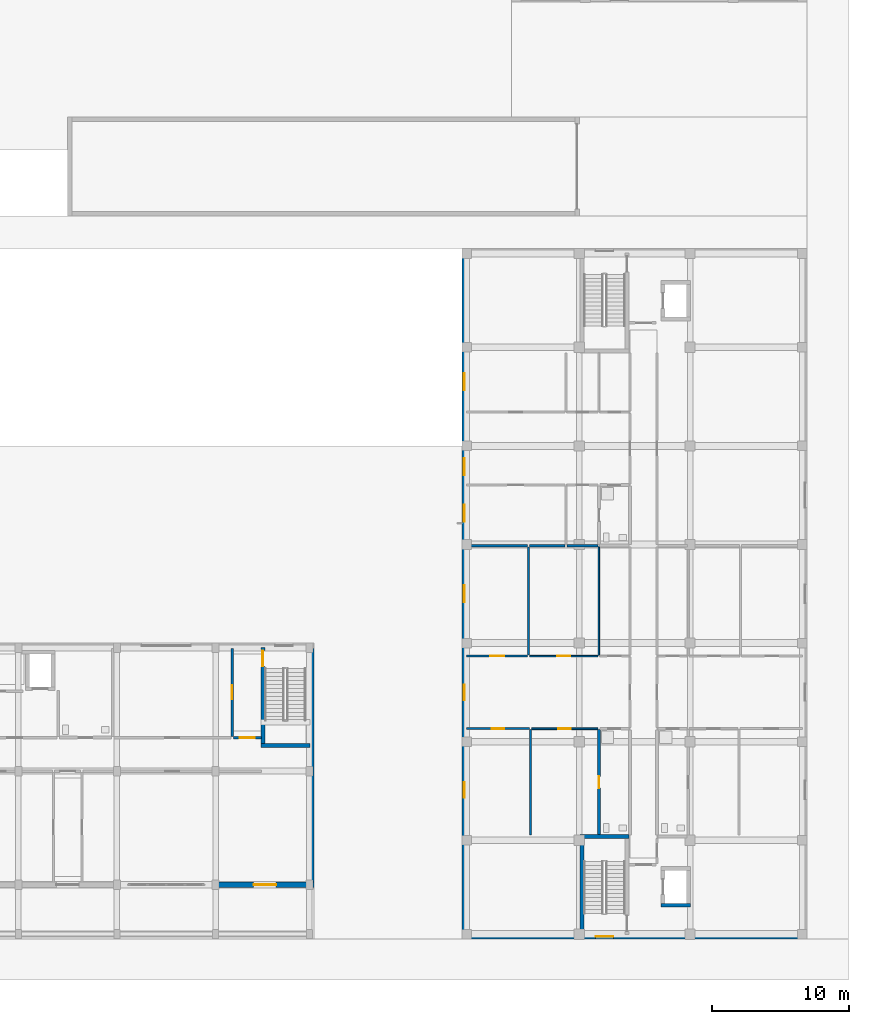
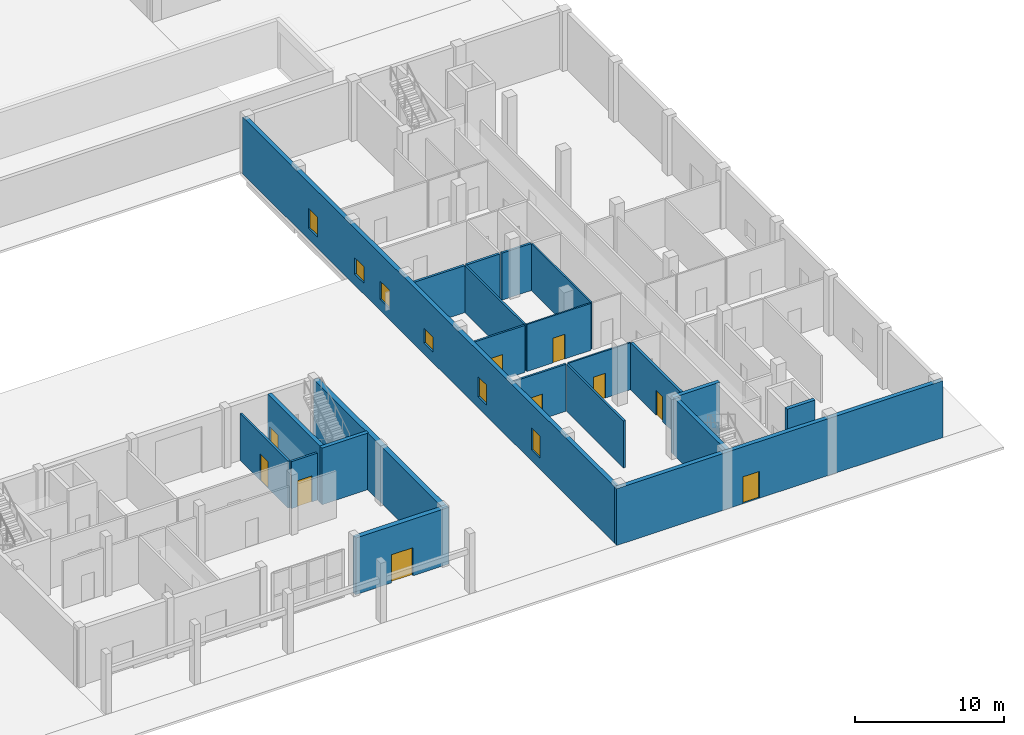
# One storey, part 48 of 85: 22 walls, 10 doors, 6 windows, 16 openings.
"""IFC4 building model written with IfcOpenShell, lengths in metres."""

import ifcopenshell
import ifcopenshell.guid

model = None  # the IFC model being written
_history = None  # IfcOwnerHistory: only IFC2X3 demands one
_inside = {}  # id of a spatial element -> (the spatial element, [elements in it])
_under = {}  # id of a project, library or spatial element -> (it, [spatial elements below it])
_declared = {}  # id of a project -> (the project, [libraries it declares])
_typed = {}  # id of a type object -> (the type object, [elements of that type])
_made_of = {}  # id of a material, layer set ... -> (it, [elements and type objects made of it])


def new_model(schema):
    """Start an empty IFC model of exactly this schema.

    Asked for "IFC4X3", IfcOpenShell would pick the latest addendum, in which some entities
    have other attributes; the version numbers below select the first issue.
    IFC2X3 requires an IfcOwnerHistory on every rooted entity: one is made here for all.
    """
    global model, _history
    if schema == "IFC4X3":
        model = ifcopenshell.file(schema_version=(4, 3, 0, 0))
    else:
        model = ifcopenshell.file(schema=schema)
    _inside.clear()
    _under.clear()
    _declared.clear()
    _typed.clear()
    _made_of.clear()
    _history = None
    if model.schema == "IFC2X3":
        org = make("IfcOrganization", Name="unknown")
        user = make(
            "IfcPersonAndOrganization",
            ThePerson=make("IfcPerson", FamilyName="unknown"),
            TheOrganization=org,
        )
        app = make(
            "IfcApplication",
            ApplicationDeveloper=org,
            Version="unknown",
            ApplicationFullName="unknown",
            ApplicationIdentifier="unknown",
        )
        _history = make(
            "IfcOwnerHistory",
            OwningUser=user,
            OwningApplication=app,
            ChangeAction="ADDED",
            CreationDate=0,
        )
    return model


def make(cls, **values):
    """One entity of the class cls with the attributes given. An attribute that is None is left unset."""
    return model.create_entity(
        cls, **{name: value for name, value in values.items() if value is not None}
    )


def rooted(cls, **values):
    """An entity with a GlobalId (a new one), such as an element, a storey or a relation."""
    return make(cls, GlobalId=ifcopenshell.guid.new(), OwnerHistory=_history, **values)


def si_unit(unit_type, name, prefix=None):
    """IfcSIUnit, for example si_unit("LENGTHUNIT", "METRE", prefix="MILLI")."""
    return make("IfcSIUnit", UnitType=unit_type, Prefix=prefix, Name=name)


def derived_unit(unit_type, elements):
    """IfcDerivedUnit: a product of units, each with its exponent."""
    return make(
        "IfcDerivedUnit",
        Elements=[
            make("IfcDerivedUnitElement", Unit=unit, Exponent=power)
            for unit, power in elements
        ],
        UnitType=unit_type,
    )


def assignment(units):
    """IfcUnitAssignment: the units of a project."""
    return None if units is None else make("IfcUnitAssignment", Units=units)


def point(xyz):
    """IfcCartesianPoint."""
    return None if xyz is None else make("IfcCartesianPoint", Coordinates=xyz)


def direction(xyz):
    """IfcDirection."""
    return None if xyz is None else make("IfcDirection", DirectionRatios=xyz)


def frame(location, z_axis=None, x_axis=None):
    """IfcAxis2Placement3D, a coordinate frame: its origin and axes. An axis left out is left unset."""
    return make(
        "IfcAxis2Placement3D",
        Location=point(location),
        Axis=direction(z_axis),
        RefDirection=direction(x_axis),
    )


def frame_2d(location, x_axis=None):
    """IfcAxis2Placement2D, a coordinate frame in the plane: its origin and x axis."""
    return make(
        "IfcAxis2Placement2D", Location=point(location), RefDirection=direction(x_axis)
    )


def origin():
    """The frame at (0, 0, 0) with its axes left unset."""
    return frame((0.0, 0.0, 0.0))


def place(relative_to, where):
    """IfcLocalPlacement: puts the frame where relative to a parent placement (None: the world)."""
    return make(
        "IfcLocalPlacement", PlacementRelTo=relative_to, RelativePlacement=where
    )


def context(
    kind, dimensions, precision=None, world=None, true_north=None, identifier=None
):
    """IfcGeometricRepresentationContext, for example the 3D "Model" context."""
    return make(
        "IfcGeometricRepresentationContext",
        ContextIdentifier=identifier,
        ContextType=kind,
        CoordinateSpaceDimension=dimensions,
        Precision=precision,
        WorldCoordinateSystem=world,
        TrueNorth=true_north,
    )


def subcontext(parent, identifier, kind, view, scale=None):
    """IfcGeometricRepresentationSubContext, for example "Body" below "Model"."""
    return make(
        "IfcGeometricRepresentationSubContext",
        ContextIdentifier=identifier,
        ContextType=kind,
        ParentContext=parent,
        TargetScale=scale,
        TargetView=view,
    )


def project(units=None, contexts=None):
    """IfcProject with its units and contexts."""
    return rooted(
        "IfcProject",
        Name="project",
        RepresentationContexts=contexts,
        UnitsInContext=assignment(units),
    )


def spatial(cls, under=None, at=None, **own):
    """A site, building, storey or space (cls), placed at a placement, below another one or the project."""
    s = rooted(cls, ObjectPlacement=at, **own)
    if under is not None:
        _under.setdefault(under.id(), (under, []))[1].append(s)
    return s


def profile(cls, at=None, kind="AREA", **sizes):
    """A parametric profile (cls). Its sizes go by their IFC names, for example OverallWidth=200.0."""
    return make(cls, ProfileType=kind, Position=at, **sizes)


def rectangle(**sizes):
    """IfcRectangleProfileDef."""
    return profile("IfcRectangleProfileDef", **sizes)


def extrude(swept, where, along, depth):
    """IfcExtrudedAreaSolid: the profile swept, set in the frame where, extruded along a direction by depth."""
    return make(
        "IfcExtrudedAreaSolid",
        SweptArea=swept,
        Position=where,
        ExtrudedDirection=direction(along),
        Depth=depth,
    )


def shape(context_of_items, identifier, shape_type, items):
    """IfcShapeRepresentation: the items that make up one representation, for example the "Body"."""
    return make(
        "IfcShapeRepresentation",
        ContextOfItems=context_of_items,
        RepresentationIdentifier=identifier,
        RepresentationType=shape_type,
        Items=items,
    )


def material(Name=None, Category=None):
    """IfcMaterial."""
    return make("IfcMaterial", Name=Name, Category=Category)


def layer(
    of_material, thickness, ventilated=None, Name=None, Category=None, Priority=None
):
    """IfcMaterialLayer: one layer of a wall or slab, of a material (None: an air gap)."""
    return make(
        "IfcMaterialLayer",
        Material=of_material,
        LayerThickness=thickness,
        IsVentilated=ventilated,
        Name=Name,
        Category=Category,
        Priority=Priority,
    )


def layer_set(layers, Name=None):
    """IfcMaterialLayerSet."""
    return make("IfcMaterialLayerSet", MaterialLayers=layers, LayerSetName=Name)


def made_of(thing, what):
    """Note that an element or type object is made of a material, layer set ...; save() writes the relation."""
    if what is not None:
        _made_of.setdefault(what.id(), (what, []))[1].append(thing)
    return thing


def type_object(cls, material=None, **own):
    """A type object (cls), such as IfcWallType, which elements share."""
    return made_of(rooted(cls, **own), material)


def element(
    cls,
    number,
    at=None,
    inside=None,
    cuts=None,
    type_object=None,
    material=None,
    context=None,
    identifier="Body",
    shape_type=None,
    held_by="IfcProductDefinitionShape",
    body=None,
    shapes=None,
    **own,
):
    """One element of the class cls, such as IfcWall. Its Tag is "e" and its number.

    at: its placement. inside: the storey or other place that contains it. cuts: it is an
    opening in that element (IfcRelVoidsElement). A single representation is given by context,
    identifier, shape_type and body (its items); several are given by shapes. held_by: the class
    of the entity that holds the representations. save() writes the other relations.
    """
    e = rooted(cls, Tag="e%d" % number, ObjectPlacement=at, **own)
    if body is not None:
        shapes = [shape(context, identifier, shape_type, body)]
    if shapes is not None:
        e.Representation = make(held_by, Representations=shapes)
    if inside is not None:
        _inside.setdefault(inside.id(), (inside, []))[1].append(e)
    if cuts is not None:
        rooted(
            "IfcRelVoidsElement", RelatingBuildingElement=cuts, RelatedOpeningElement=e
        )
    if type_object is not None:
        _typed.setdefault(type_object.id(), (type_object, []))[1].append(e)
    return made_of(e, material)


def fill(opening, filler):
    """IfcRelFillsElement: the door or window that sits in an opening."""
    return rooted(
        "IfcRelFillsElement",
        RelatingOpeningElement=opening,
        RelatedBuildingElement=filler,
    )


def aggregate(whole, parts):
    """IfcRelAggregates: a whole, such as a stair, and the parts it consists of."""
    return rooted("IfcRelAggregates", RelatingObject=whole, RelatedObjects=parts)


def save(model, path):
    """Write the relations noted so far, then the file.

    IfcRelAggregates (storeys below a building ...), IfcRelContainedInSpatialStructure (elements
    in a storey), IfcRelDefinesByType, IfcRelAssociatesMaterial and IfcRelDeclares: one each for
    every whole, place, type object, material and project.
    """
    for whole, parts in _under.values():
        aggregate(whole, parts)
    for where, things in _inside.values():
        rooted(
            "IfcRelContainedInSpatialStructure",
            RelatedElements=things,
            RelatingStructure=where,
        )
    for kind, things in _typed.values():
        rooted("IfcRelDefinesByType", RelatedObjects=things, RelatingType=kind)
    for what, things in _made_of.values():
        rooted("IfcRelAssociatesMaterial", RelatedObjects=things, RelatingMaterial=what)
    for by, libraries in _declared.values():
        rooted("IfcRelDeclares", RelatingContext=by, RelatedDefinitions=libraries)
    model.write(path)


model = new_model("IFC4")

# Units and contexts
model_context = context("Model", 3, precision=1e-05, world=origin(), true_north=direction((0.0, 1.0)))
body_context = subcontext(model_context, "Body", "Model", "MODEL_VIEW")
ifc_project = project(units=[si_unit("LENGTHUNIT", "METRE"), si_unit("AREAUNIT", "SQUARE_METRE"), si_unit("VOLUMEUNIT", "CUBIC_METRE"), si_unit("PLANEANGLEUNIT", "RADIAN"), si_unit("MASSUNIT", "GRAM", prefix="KILO"), derived_unit("THERMALTRANSMITTANCEUNIT", [(si_unit("MASSUNIT", "GRAM", prefix="KILO"), 1), (si_unit("TIMEUNIT", "SECOND"), -3), (si_unit("THERMODYNAMICTEMPERATUREUNIT", "KELVIN"), -1)])], contexts=[model_context])

# Site, building, storey
site_placement = place(None, origin())
site = spatial("IfcSite", under=ifc_project, at=site_placement, CompositionType="ELEMENT")
building_placement = place(site_placement, origin())
building = spatial("IfcBuilding", under=site, at=building_placement, Name="Ochrekiln Boulevard Commons", CompositionType="ELEMENT")
storey_placement = place(building_placement, origin())
storey = spatial("IfcBuildingStorey", under=building, at=storey_placement, Name="L00", CompositionType="ELEMENT", Elevation=0.0)

# Wall
ifc_material_1 = material(Name="Desert ochre clinker brick masonry ASTM C216 Grade SW", Category="masonry")
ifc_layer_1 = layer(ifc_material_1, 0.3798828125)
ifc_layer_set_1 = layer_set([ifc_layer_1], Name="Desert ochre clinker brick masonry ASTM C216 Grade SW")
wall_type_1 = type_object("IfcWallType", Name="WL-EXT-ARC-380", PredefinedType="SOLIDWALL", material=ifc_layer_set_1)
wall_1_placement = place(storey_placement, frame((136.610107421875, 4.139892578125, 0.0), z_axis=(0.0, 0.0, 1.0), x_axis=(0.0, 1.0, 0.0)))
element("IfcWall", 1, at=wall_1_placement, inside=storey, type_object=wall_type_1, Name="East Boulevard Arcade L00 E Exterior Wall", PredefinedType="SOLIDWALL", context=body_context, shape_type="SweptSolid", body=[
    extrude(rectangle(XDim=17.080078125, YDim=0.3798828125, at=frame_2d((8.5400390625, 0.0))), origin(), (0.0, 0.0, 1.0), 4.625),
])

# Wall, opening, door
wall_2_placement = place(storey_placement, frame((129.60009765625, 3.949951171875, 0.0), z_axis=(0.0, 0.0, 1.0), x_axis=(1.0, 0.0, 0.0)))
wall_2 = element("IfcWall", 2, at=wall_2_placement, inside=storey, type_object=wall_type_1, Name="East Boulevard Arcade Shopfront Portal Wall 4", PredefinedType="SOLIDWALL", context=body_context, shape_type="SweptSolid", body=[
    extrude(rectangle(XDim=7.199951171875, YDim=0.3798828125, at=frame_2d((3.60009765625, 0.0))), origin(), (0.0, 0.0, 1.0), 4.625),
])
opening_1_placement = place(wall_2_placement, frame((2.77490234375, 0.0, 0.0)))
opening_1 = element("IfcOpeningElement", 3, at=opening_1_placement, cuts=wall_2, Name="Opening D-L00-SHE4", PredefinedType="OPENING", context=body_context, shape_type="SweptSolid", body=[
    extrude(rectangle(XDim=1.64990234375, YDim=2.300048828125, at=frame_2d((0.824951171875, 1.14990234375))), frame((0.0, 0.199951171875, 0.0), z_axis=(0.0, -1.0, 0.0), x_axis=(1.0, 0.0, 0.0)), (0.0, 0.0, 1.0), 0.39990234375),
])
ifc_material_2 = material(Name="Bronze-anodized extruded aluminium 6063-T6", Category="aluminium")
door_type_1 = type_object("IfcDoorType", Name="DR-EXT-SHOP-165", OperationType="DOUBLE_DOOR_SINGLE_SWING", PredefinedType="DOOR", material=ifc_material_2)
door_1_placement = place(opening_1_placement, frame((1.64990234375, 0.0, 0.0), z_axis=(0.0, 0.0, 1.0), x_axis=(-1.0, 0.0, 0.0)))
door_1 = element("IfcDoor", 4, at=door_1_placement, inside=storey, type_object=door_type_1, Name="East Boulevard Arcade Retail Shop Entrance Door 4", OperationType="DOUBLE_DOOR_SINGLE_SWING", OverallHeight=2.300048828125, OverallWidth=1.64990234375, PredefinedType="DOOR", context=body_context, shape_type="SweptSolid", body=[
    extrude(rectangle(XDim=1.64990234375, YDim=2.300048828125, at=frame_2d((0.824951171875, 1.14990234375))), frame((0.0, 0.02490234375, 0.0), z_axis=(0.0, -1.0, 0.0), x_axis=(1.0, 0.0, 0.0)), (0.0, 0.0, 1.0), 0.050048828125),
])
fill(opening_1, door_1)

ifc_layer_2 = layer(ifc_material_1, 0.330078125)
ifc_layer_set_2 = layer_set([ifc_layer_2], Name="Desert ochre clinker brick masonry ASTM C216 Grade SW")
wall_type_2 = type_object("IfcWallType", Name="WL-EXT-OCHRE-330", PredefinedType="SOLIDWALL", material=ifc_layer_set_2)
wall_3_placement = place(storey_placement, frame((147.60009765625, 0.1650390625, 0.0), z_axis=(0.0, 0.0, 1.0), x_axis=(1.0, 0.0, 0.0)))
wall_3 = element("IfcWall", 5, at=wall_3_placement, inside=storey, type_object=wall_type_2, Name="Block C L00 S Exterior Wall", PredefinedType="SOLIDWALL", context=body_context, shape_type="SweptSolid", body=[
    extrude(rectangle(XDim=25.199951171875, YDim=0.330078125, at=frame_2d((12.60009765625, 0.0))), origin(), (0.0, 0.0, 1.0), 4.639892578125),
])
opening_2_placement = place(wall_3_placement, frame((9.75, 0.0, 0.0)))
opening_2 = element("IfcOpeningElement", 6, at=opening_2_placement, cuts=wall_3, Name="Opening D-L00-EX33", PredefinedType="OPENING", context=body_context, shape_type="SweptSolid", body=[
    extrude(rectangle(XDim=1.300048828125, YDim=2.199951171875, at=frame_2d((0.64990234375, 1.10009765625))), frame((0.0, 0.175048828125, 0.0), z_axis=(0.0, -1.0, 0.0), x_axis=(1.0, 0.0, 0.0)), (0.0, 0.0, 1.0), 0.35009765625),
])
door_type_2 = type_object("IfcDoorType", Name="DR-EXT-STAIR-130", OperationType="NOTDEFINED", PredefinedType="DOOR", material=ifc_material_2)
door_2_placement = place(opening_2_placement, frame((1.300048828125, 0.0, 0.0), z_axis=(0.0, 0.0, 1.0), x_axis=(-1.0, 0.0, 0.0)))
door_2 = element("IfcDoor", 7, at=door_2_placement, inside=storey, type_object=door_type_2, Name="Stair ST-C1 Exterior Exit Discharge Door", OperationType="SINGLE_SWING_LEFT", OverallHeight=2.199951171875, OverallWidth=1.300048828125, PredefinedType="DOOR", context=body_context, shape_type="SweptSolid", body=[
    extrude(rectangle(XDim=1.300048828125, YDim=2.199951171875, at=frame_2d((0.64990234375, 1.10009765625))), frame((0.0, 0.02490234375, 0.0), z_axis=(0.0, -1.0, 0.0), x_axis=(1.0, 0.0, 0.0)), (0.0, 0.0, 1.0), 0.050048828125),
])
fill(opening_2, door_2)

# Wall, openings, windows
wall_4_placement = place(storey_placement, frame((147.764892578125, 0.330078125, 0.0), z_axis=(0.0, 0.0, 1.0), x_axis=(0.0, 1.0, 0.0)))
wall_4 = element("IfcWall", 8, at=wall_4_placement, inside=storey, type_object=wall_type_2, Name="Block C L00 W Exterior Wall", PredefinedType="SOLIDWALL", context=body_context, shape_type="SweptSolid", body=[
    extrude(rectangle(XDim=49.739990234375, YDim=0.330078125, at=frame_2d((24.8701171875, 0.0))), origin(), (0.0, 0.0, 1.0), 4.639892578125),
])
opening_3_placement = place(wall_4_placement, frame((17.094970703125, 0.0, 0.89990234375)))
opening_3 = element("IfcOpeningElement", 9, at=opening_3_placement, cuts=wall_4, Name="Opening W-14", PredefinedType="OPENING", context=body_context, shape_type="SweptSolid", body=[
    extrude(rectangle(XDim=1.14990234375, YDim=1.64990234375, at=frame_2d((0.574951171875, 0.824951171875))), frame((0.0, 0.175048828125, 0.0), z_axis=(0.0, -1.0, 0.0), x_axis=(1.0, 0.0, 0.0)), (0.0, 0.0, 1.0), 0.35009765625),
])
opening_4_placement = place(wall_4_placement, frame((9.9599609375, 0.0, 0.89990234375)))
opening_4 = element("IfcOpeningElement", 10, at=opening_4_placement, cuts=wall_4, Name="Opening W-15", PredefinedType="OPENING", context=body_context, shape_type="SweptSolid", body=[
    extrude(rectangle(XDim=1.14990234375, YDim=1.800048828125, at=frame_2d((0.574951171875, 0.89990234375))), frame((0.0, 0.175048828125, 0.0), z_axis=(0.0, -1.0, 0.0), x_axis=(1.0, 0.0, 0.0)), (0.0, 0.0, 1.0), 0.35009765625),
])
opening_5_placement = place(wall_4_placement, frame((24.2451171875, 0.0, 0.89990234375)))
opening_5 = element("IfcOpeningElement", 11, at=opening_5_placement, cuts=wall_4, Name="Opening W-16", PredefinedType="OPENING", context=body_context, shape_type="SweptSolid", body=[
    extrude(rectangle(XDim=1.25, YDim=1.199951171875, at=frame_2d((0.625, 0.60009765625))), frame((0.0, 0.175048828125, 0.0), z_axis=(0.0, -1.0, 0.0), x_axis=(1.0, 0.0, 0.0)), (0.0, 0.0, 1.0), 0.35009765625),
])
opening_6_placement = place(wall_4_placement, frame((33.52294921875, 0.0, 0.89990234375)))
opening_6 = element("IfcOpeningElement", 12, at=opening_6_placement, cuts=wall_4, Name="Opening W-17", PredefinedType="OPENING", context=body_context, shape_type="SweptSolid", body=[
    extrude(rectangle(XDim=1.25, YDim=1.35009765625, at=frame_2d((0.625, 0.675048828125))), frame((0.0, 0.175048828125, 0.0), z_axis=(0.0, -1.0, 0.0), x_axis=(1.0, 0.0, 0.0)), (0.0, 0.0, 1.0), 0.35009765625),
])
opening_7_placement = place(wall_4_placement, frame((30.114013671875, 0.0, 0.89990234375)))
opening_7 = element("IfcOpeningElement", 13, at=opening_7_placement, cuts=wall_4, Name="Opening W-18", PredefinedType="OPENING", context=body_context, shape_type="SweptSolid", body=[
    extrude(rectangle(XDim=1.25, YDim=1.5, at=frame_2d((0.625, 0.75))), frame((0.0, 0.175048828125, 0.0), z_axis=(0.0, -1.0, 0.0), x_axis=(1.0, 0.0, 0.0)), (0.0, 0.0, 1.0), 0.35009765625),
])
opening_8_placement = place(wall_4_placement, frame((39.716064453125, 0.0, 0.89990234375)))
opening_8 = element("IfcOpeningElement", 14, at=opening_8_placement, cuts=wall_4, Name="Opening W-19", PredefinedType="OPENING", context=body_context, shape_type="SweptSolid", body=[
    extrude(rectangle(XDim=1.25, YDim=1.64990234375, at=frame_2d((0.625, 0.824951171875))), frame((0.0, 0.175048828125, 0.0), z_axis=(0.0, -1.0, 0.0), x_axis=(1.0, 0.0, 0.0)), (0.0, 0.0, 1.0), 0.35009765625),
])
ifc_material_3 = material(Name="Thermally broken aluminium-clad oak frame", Category="aluminium")
window_type_1 = type_object("IfcWindowType", Name="WIN-EXT-14", PartitioningType="SINGLE_PANEL", PredefinedType="WINDOW", material=ifc_material_3)
window_1_placement = place(opening_3_placement, origin())
window_1 = element("IfcWindow", 15, at=window_1_placement, inside=storey, type_object=window_type_1, Name="Block C L00 Punched Masonry Window W-14", OverallHeight=1.64990234375, OverallWidth=1.14990234375, PartitioningType="SINGLE_PANEL", PredefinedType="WINDOW", context=body_context, shape_type="SweptSolid", body=[
    extrude(rectangle(XDim=1.14990234375, YDim=1.64990234375, at=frame_2d((0.574951171875, 0.824951171875))), frame((0.0, 0.030029296875, 0.0), z_axis=(0.0, -1.0, 0.0), x_axis=(1.0, 0.0, 0.0)), (0.0, 0.0, 1.0), 0.06005859375),
])
fill(opening_3, window_1)
window_type_2 = type_object("IfcWindowType", Name="WIN-EXT-15", PartitioningType="SINGLE_PANEL", PredefinedType="WINDOW", material=ifc_material_3)
window_2_placement = place(opening_4_placement, origin())
window_2 = element("IfcWindow", 16, at=window_2_placement, inside=storey, type_object=window_type_2, Name="Block C L00 Punched Masonry Window W-15", OverallHeight=1.800048828125, OverallWidth=1.14990234375, PartitioningType="SINGLE_PANEL", PredefinedType="WINDOW", context=body_context, shape_type="SweptSolid", body=[
    extrude(rectangle(XDim=1.14990234375, YDim=1.800048828125, at=frame_2d((0.574951171875, 0.89990234375))), frame((0.0, 0.030029296875, 0.0), z_axis=(0.0, -1.0, 0.0), x_axis=(1.0, 0.0, 0.0)), (0.0, 0.0, 1.0), 0.06005859375),
])
fill(opening_4, window_2)
window_type_3 = type_object("IfcWindowType", Name="WIN-EXT-16", PartitioningType="SINGLE_PANEL", PredefinedType="WINDOW", material=ifc_material_3)
window_3_placement = place(opening_5_placement, origin())
window_3 = element("IfcWindow", 17, at=window_3_placement, inside=storey, type_object=window_type_3, Name="Block C L00 Punched Masonry Window W-16", OverallHeight=1.199951171875, OverallWidth=1.25, PartitioningType="SINGLE_PANEL", PredefinedType="WINDOW", context=body_context, shape_type="SweptSolid", body=[
    extrude(rectangle(XDim=1.25, YDim=1.199951171875, at=frame_2d((0.625, 0.60009765625))), frame((0.0, 0.030029296875, 0.0), z_axis=(0.0, -1.0, 0.0), x_axis=(1.0, 0.0, 0.0)), (0.0, 0.0, 1.0), 0.06005859375),
])
fill(opening_5, window_3)
window_type_4 = type_object("IfcWindowType", Name="WIN-EXT-17", PartitioningType="SINGLE_PANEL", PredefinedType="WINDOW", material=ifc_material_3)
window_4_placement = place(opening_6_placement, origin())
window_4 = element("IfcWindow", 18, at=window_4_placement, inside=storey, type_object=window_type_4, Name="Block C L00 Punched Masonry Window W-17", OverallHeight=1.35009765625, OverallWidth=1.25, PartitioningType="SINGLE_PANEL", PredefinedType="WINDOW", context=body_context, shape_type="SweptSolid", body=[
    extrude(rectangle(XDim=1.25, YDim=1.35009765625, at=frame_2d((0.625, 0.675048828125))), frame((0.0, 0.030029296875, 0.0), z_axis=(0.0, -1.0, 0.0), x_axis=(1.0, 0.0, 0.0)), (0.0, 0.0, 1.0), 0.06005859375),
])
fill(opening_6, window_4)
window_type_5 = type_object("IfcWindowType", Name="WIN-EXT-18", PartitioningType="SINGLE_PANEL", PredefinedType="WINDOW", material=ifc_material_3)
window_5_placement = place(opening_7_placement, origin())
window_5 = element("IfcWindow", 19, at=window_5_placement, inside=storey, type_object=window_type_5, Name="Block C L00 Punched Masonry Window W-18", OverallHeight=1.5, OverallWidth=1.25, PartitioningType="SINGLE_PANEL", PredefinedType="WINDOW", context=body_context, shape_type="SweptSolid", body=[
    extrude(rectangle(XDim=1.25, YDim=1.5, at=frame_2d((0.625, 0.75))), frame((0.0, 0.030029296875, 0.0), z_axis=(0.0, -1.0, 0.0), x_axis=(1.0, 0.0, 0.0)), (0.0, 0.0, 1.0), 0.06005859375),
])
fill(opening_7, window_5)
window_type_6 = type_object("IfcWindowType", Name="WIN-EXT-19", PartitioningType="SINGLE_PANEL", PredefinedType="WINDOW", material=ifc_material_3)
window_6_placement = place(opening_8_placement, origin())
window_6 = element("IfcWindow", 20, at=window_6_placement, inside=storey, type_object=window_type_6, Name="Block C L00 Punched Masonry Window W-19", OverallHeight=1.64990234375, OverallWidth=1.25, PartitioningType="SINGLE_PANEL", PredefinedType="WINDOW", context=body_context, shape_type="SweptSolid", body=[
    extrude(rectangle(XDim=1.25, YDim=1.64990234375, at=frame_2d((0.625, 0.824951171875))), frame((0.0, 0.030029296875, 0.0), z_axis=(0.0, -1.0, 0.0), x_axis=(1.0, 0.0, 0.0)), (0.0, 0.0, 1.0), 0.06005859375),
])
fill(opening_8, window_6)

# Wall, opening, door
ifc_material_4 = material(Name="Moisture-resistant cementitious tile backer wall")
ifc_layer_3 = layer(ifc_material_4, 0.199951171875)
ifc_layer_set_3 = layer_set([ifc_layer_3], Name="Moisture-resistant cementitious tile backer wall")
wall_type_3 = type_object("IfcWallType", Name="WL-PLM-200", PredefinedType="PLUMBINGWALL", material=ifc_layer_set_3)
wall_5_placement = place(storey_placement, frame((157.590087890625, 7.60009765625, 0.0), z_axis=(0.0, 0.0, 1.0), x_axis=(0.0, 1.0, 0.0)))
wall_5 = element("IfcWall", 21, at=wall_5_placement, inside=storey, type_object=wall_type_3, Name="L00 Interior Wall W-PW200", PredefinedType="PLUMBINGWALL", context=body_context, shape_type="SweptSolid", body=[
    extrude(rectangle(XDim=7.68994140625, YDim=0.199951171875, at=frame_2d((3.844970703125, 0.0))), origin(), (0.0, 0.0, 1.0), 3.840087890625),
])
opening_9_placement = place(wall_5_placement, frame((3.409912109375, 0.0, 0.0)))
opening_9 = element("IfcOpeningElement", 22, at=opening_9_placement, cuts=wall_5, Name="Opening D-L00-065", PredefinedType="OPENING", context=body_context, shape_type="SweptSolid", body=[
    extrude(rectangle(XDim=0.85009765625, YDim=2.010009765625, at=frame_2d((0.425048828125, 1.0048828125))), frame((0.0, 0.10986328125, 0.0), z_axis=(0.0, -1.0, 0.0), x_axis=(1.0, 0.0, 0.0)), (0.0, 0.0, 1.0), 0.219970703125),
])
ifc_material_5 = material(Name="Solid core architectural oak door leaf")
door_type_3 = type_object("IfcDoorType", Name="DR-INT-KIT-085", OperationType="NOTDEFINED", PredefinedType="DOOR", material=ifc_material_5)
door_3_placement = place(opening_9_placement, frame((0.85009765625, 0.0, 0.0), z_axis=(0.0, 0.0, 1.0), x_axis=(-1.0, 0.0, 0.0)))
door_3 = element("IfcDoor", 23, at=door_3_placement, inside=storey, type_object=door_type_3, Name="L00 Interior Door to Accessible Apartment Bathroom", OperationType="SINGLE_SWING_LEFT", OverallHeight=2.010009765625, OverallWidth=0.85009765625, PredefinedType="DOOR", context=body_context, shape_type="SweptSolid", body=[
    extrude(rectangle(XDim=0.85009765625, YDim=2.010009765625, at=frame_2d((0.425048828125, 1.0048828125))), frame((0.0, 0.02490234375, 0.0), z_axis=(0.0, -1.0, 0.0), x_axis=(1.0, 0.0, 0.0)), (0.0, 0.0, 1.0), 0.050048828125),
])
fill(opening_9, door_3)

ifc_material_6 = material(Name="Fire-rated Type X gypsum board on steel studs", Category="steel")
ifc_layer_4 = layer(ifc_material_6, 0.1650390625)
ifc_layer_set_4 = layer_set([ifc_layer_4], Name="Fire-rated Type X gypsum board on steel studs")
wall_type_4 = type_object("IfcWallType", Name="WL-PT-CORR-165", PredefinedType="PARTITIONING", material=ifc_layer_set_4)
wall_6_placement = place(storey_placement, frame((130.89990234375, 14.68994140625, 0.0), z_axis=(0.0, 0.0, 1.0), x_axis=(1.0, 0.0, 0.0)))
wall_6 = element("IfcWall", 24, at=wall_6_placement, inside=storey, type_object=wall_type_4, Name="L00 Interior Wall W-PC165", PredefinedType="PARTITIONING", context=body_context, shape_type="SweptSolid", body=[
    extrude(rectangle(XDim=2.050048828125, YDim=0.1650390625, at=frame_2d((1.02490234375, 0.0))), origin(), (0.0, 0.0, 1.0), 3.840087890625),
])
opening_10_placement = place(wall_6_placement, frame((0.47509765625, 0.0, 0.0)))
opening_10 = element("IfcOpeningElement", 25, at=opening_10_placement, cuts=wall_6, Name="Opening D-L00-142", PredefinedType="OPENING", context=body_context, shape_type="SweptSolid", body=[
    extrude(rectangle(XDim=1.10009765625, YDim=2.1201171875, at=frame_2d((0.550048828125, 1.06005859375))), frame((0.0, 0.092529296875, 0.0), z_axis=(0.0, -1.0, 0.0), x_axis=(1.0, 0.0, 0.0)), (0.0, 0.0, 1.0), 0.18505859375),
])
ifc_material_7 = material(Name="Hollow metal fire-rated steel door assembly", Category="steel")
door_type_4 = type_object("IfcDoorType", Name="DR-LOBBY-60", OperationType="NOTDEFINED", PredefinedType="DOOR", material=ifc_material_7)
door_4_placement = place(opening_10_placement, origin())
door_4 = element("IfcDoor", 26, at=door_4_placement, inside=storey, type_object=door_type_4, Name="L00 Interior Door to Arcade East Stair Corridor", OperationType="SINGLE_SWING_RIGHT", OverallHeight=2.1201171875, OverallWidth=1.10009765625, PredefinedType="DOOR", context=body_context, shape_type="SweptSolid", body=[
    extrude(rectangle(XDim=1.10009765625, YDim=2.1201171875, at=frame_2d((0.550048828125, 1.06005859375))), frame((0.0, 0.02490234375, 0.0), z_axis=(0.0, -1.0, 0.0), x_axis=(1.0, 0.0, 0.0)), (0.0, 0.0, 1.0), 0.050048828125),
])
fill(opening_10, door_4)

wall_7_placement = place(storey_placement, frame((130.81005859375, 14.77197265625, 0.0), z_axis=(0.0, 0.0, 1.0), x_axis=(0.0, 1.0, 0.0)))
wall_7 = element("IfcWall", 27, at=wall_7_placement, inside=storey, type_object=wall_type_4, Name="L00 Interior Wall W-PC165", PredefinedType="PARTITIONING", context=body_context, shape_type="SweptSolid", body=[
    extrude(rectangle(XDim=6.447998046875, YDim=0.1650390625, at=frame_2d((3.22412109375, 0.0))), origin(), (0.0, 0.0, 1.0), 3.840087890625),
])
opening_11_placement = place(wall_7_placement, frame((2.718017578125, 0.0, 0.0)))
opening_11 = element("IfcOpeningElement", 28, at=opening_11_placement, cuts=wall_7, Name="Opening D-L00-147", PredefinedType="OPENING", context=body_context, shape_type="SweptSolid", body=[
    extrude(rectangle(XDim=1.02001953125, YDim=2.159912109375, at=frame_2d((0.510009765625, 1.080078125))), frame((0.0, 0.092529296875, 0.0), z_axis=(0.0, -1.0, 0.0), x_axis=(1.0, 0.0, 0.0)), (0.0, 0.0, 1.0), 0.18505859375),
])
door_type_5 = type_object("IfcDoorType", Name="DR-INT-CIV-102", OperationType="NOTDEFINED", PredefinedType="DOOR", material=ifc_material_5)
door_5_placement = place(opening_11_placement, origin())
door_5 = element("IfcDoor", 29, at=door_5_placement, inside=storey, type_object=door_type_5, Name="L00 Interior Door to Screened Truck Loading Berth", OperationType="SINGLE_SWING_LEFT", OverallHeight=2.159912109375, OverallWidth=1.02001953125, PredefinedType="DOOR", context=body_context, shape_type="SweptSolid", body=[
    extrude(rectangle(XDim=1.02001953125, YDim=2.159912109375, at=frame_2d((0.510009765625, 1.080078125))), frame((0.0, 0.02490234375, 0.0), z_axis=(0.0, -1.0, 0.0), x_axis=(1.0, 0.0, 0.0)), (0.0, 0.0, 1.0), 0.050048828125),
])
fill(opening_11, door_5)

# Walls
ifc_layer_5 = layer(ifc_material_6, 0.179931640625)
ifc_layer_set_5 = layer_set([ifc_layer_5], Name="Fire-rated Type X gypsum board on steel studs")
wall_type_5 = type_object("IfcWallType", Name="WL-PT-DEM-180", PredefinedType="PARTITIONING", material=ifc_layer_set_5)
wall_8_placement = place(storey_placement, frame((147.929931640625, 28.719970703125, 0.0), z_axis=(0.0, 0.0, 1.0), x_axis=(1.0, 0.0, 0.0)))
element("IfcWall", 30, at=wall_8_placement, inside=storey, type_object=wall_type_5, Name="L00 Interior Wall W-PD180", PredefinedType="PARTITIONING", context=body_context, shape_type="SweptSolid", body=[
    extrude(rectangle(XDim=4.455078125, YDim=0.179931640625, at=frame_2d((2.2275390625, 0.0))), origin(), (0.0, 0.0, 1.0), 3.840087890625),
])
wall_9_placement = place(storey_placement, frame((152.5400390625, 28.719970703125, 0.0), z_axis=(0.0, 0.0, 1.0), x_axis=(1.0, 0.0, 0.0)))
element("IfcWall", 31, at=wall_9_placement, inside=storey, type_object=wall_type_5, Name="L00 Interior Wall W-PD180", PredefinedType="PARTITIONING", context=body_context, shape_type="SweptSolid", body=[
    extrude(rectangle(XDim=2.56005859375, YDim=0.179931640625, at=frame_2d((1.280029296875, 0.0))), origin(), (0.0, 0.0, 1.0), 3.840087890625),
])
wall_10_placement = place(storey_placement, frame((155.260009765625, 28.719970703125, 0.0), z_axis=(0.0, 0.0, 1.0), x_axis=(1.0, 0.0, 0.0)))
element("IfcWall", 32, at=wall_10_placement, inside=storey, type_object=wall_type_5, Name="L00 Interior Wall W-PD180", PredefinedType="PARTITIONING", context=body_context, shape_type="SweptSolid", body=[
    extrude(rectangle(XDim=2.27001953125, YDim=0.179931640625, at=frame_2d((1.135009765625, 0.0))), origin(), (0.0, 0.0, 1.0), 3.840087890625),
])

# Wall, opening, door
ifc_layer_6 = layer(ifc_material_6, 0.1201171875)
ifc_layer_set_6 = layer_set([ifc_layer_6], Name="Fire-rated Type X gypsum board on steel studs")
wall_type_6 = type_object("IfcWallType", Name="WL-PT-LGT-120", PredefinedType="PARTITIONING", material=ifc_layer_set_6)
wall_11_placement = place(storey_placement, frame((152.673095703125, 15.35009765625, 0.0), z_axis=(0.0, 0.0, 1.0), x_axis=(1.0, 0.0, 0.0)))
wall_11 = element("IfcWall", 33, at=wall_11_placement, inside=storey, type_object=wall_type_6, Name="L00 Interior Wall W-PL120", PredefinedType="PARTITIONING", context=body_context, shape_type="SweptSolid", body=[
    extrude(rectangle(XDim=4.8369140625, YDim=0.1201171875, at=frame_2d((2.41845703125, 0.0))), origin(), (0.0, 0.0, 1.0), 3.840087890625),
])
opening_12_placement = place(wall_11_placement, frame((1.9580078125, 0.0, 0.0)))
opening_12 = element("IfcOpeningElement", 34, at=opening_12_placement, cuts=wall_11, Name="Opening D-L00-062", PredefinedType="OPENING", context=body_context, shape_type="SweptSolid", body=[
    extrude(rectangle(XDim=0.919921875, YDim=2.02001953125, at=frame_2d((0.4599609375, 1.010009765625))), frame((0.0, 0.070068359375, 0.0), z_axis=(0.0, -1.0, 0.0), x_axis=(1.0, 0.0, 0.0)), (0.0, 0.0, 1.0), 0.14013671875),
])
door_type_6 = type_object("IfcDoorType", Name="DR-INT-KIT-092", OperationType="NOTDEFINED", PredefinedType="DOOR", material=ifc_material_5)
door_6_placement = place(opening_12_placement, frame((0.919921875, 0.0, 0.0), z_axis=(0.0, 0.0, 1.0), x_axis=(-1.0, 0.0, 0.0)))
door_6 = element("IfcDoor", 35, at=door_6_placement, inside=storey, type_object=door_type_6, Name="L00 Interior Door to Apartment Walk-In Wardrobe", OperationType="SINGLE_SWING_RIGHT", OverallHeight=2.02001953125, OverallWidth=0.919921875, PredefinedType="DOOR", context=body_context, shape_type="SweptSolid", body=[
    extrude(rectangle(XDim=0.919921875, YDim=2.02001953125, at=frame_2d((0.4599609375, 1.010009765625))), frame((0.0, 0.02490234375, 0.0), z_axis=(0.0, -1.0, 0.0), x_axis=(1.0, 0.0, 0.0)), (0.0, 0.0, 1.0), 0.050048828125),
])
fill(opening_12, door_6)

wall_12_placement = place(storey_placement, frame((152.5400390625, 20.64990234375, 0.0), z_axis=(0.0, 0.0, 1.0), x_axis=(1.0, 0.0, 0.0)))
wall_12 = element("IfcWall", 36, at=wall_12_placement, inside=storey, type_object=wall_type_6, Name="L00 Interior Wall W-PL120", PredefinedType="PARTITIONING", context=body_context, shape_type="SweptSolid", body=[
    extrude(rectangle(XDim=4.969970703125, YDim=0.1201171875, at=frame_2d((2.48486328125, 0.0))), origin(), (0.0, 0.0, 1.0), 3.840087890625),
])
opening_13_placement = place(wall_12_placement, frame((2.02490234375, 0.0, 0.0)))
opening_13 = element("IfcOpeningElement", 37, at=opening_13_placement, cuts=wall_12, Name="Opening D-L00-064", PredefinedType="OPENING", context=body_context, shape_type="SweptSolid", body=[
    extrude(rectangle(XDim=0.919921875, YDim=2.02001953125, at=frame_2d((0.4599609375, 1.010009765625))), frame((0.0, 0.070068359375, 0.0), z_axis=(0.0, -1.0, 0.0), x_axis=(1.0, 0.0, 0.0)), (0.0, 0.0, 1.0), 0.14013671875),
])
door_7_placement = place(opening_13_placement, origin())
door_7 = element("IfcDoor", 38, at=door_7_placement, inside=storey, type_object=door_type_6, Name="L00 Interior Door to Apartment Walk-In Wardrobe", OperationType="SINGLE_SWING_RIGHT", OverallHeight=2.02001953125, OverallWidth=0.919921875, PredefinedType="DOOR", context=body_context, shape_type="SweptSolid", body=[
    extrude(rectangle(XDim=0.919921875, YDim=2.02001953125, at=frame_2d((0.4599609375, 1.010009765625))), frame((0.0, 0.02490234375, 0.0), z_axis=(0.0, -1.0, 0.0), x_axis=(1.0, 0.0, 0.0)), (0.0, 0.0, 1.0), 0.050048828125),
])
fill(opening_13, door_7)

# Wall
wall_13_placement = place(storey_placement, frame((157.590087890625, 20.7099609375, 0.0), z_axis=(0.0, 0.0, 1.0), x_axis=(0.0, 1.0, 0.0)))
element("IfcWall", 39, at=wall_13_placement, inside=storey, type_object=wall_type_6, Name="L00 Interior Wall W-PL120", PredefinedType="PARTITIONING", context=body_context, shape_type="SweptSolid", body=[
    extrude(rectangle(XDim=7.919921875, YDim=0.1201171875, at=frame_2d((3.9599609375, 0.0))), origin(), (0.0, 0.0, 1.0), 3.840087890625),
])

# Wall, opening, door
ifc_layer_7 = layer(ifc_material_6, 0.14990234375)
ifc_layer_set_7 = layer_set([ifc_layer_7], Name="Fire-rated Type X gypsum board on steel studs")
wall_type_7 = type_object("IfcWallType", Name="WL-PT-STD-150", PredefinedType="PARTITIONING", material=ifc_layer_set_7)
wall_14_placement = place(storey_placement, frame((147.929931640625, 15.35009765625, 0.0), z_axis=(0.0, 0.0, 1.0), x_axis=(1.0, 0.0, 0.0)))
wall_14 = element("IfcWall", 40, at=wall_14_placement, inside=storey, type_object=wall_type_7, Name="L00 Interior Wall W-PS150", PredefinedType="PARTITIONING", context=body_context, shape_type="SweptSolid", body=[
    extrude(rectangle(XDim=4.5830078125, YDim=0.14990234375, at=frame_2d((2.29150390625, 0.0))), origin(), (0.0, 0.0, 1.0), 3.840087890625),
])
opening_14_placement = place(wall_14_placement, frame((1.85107421875, 0.0, 0.0)))
opening_14 = element("IfcOpeningElement", 41, at=opening_14_placement, cuts=wall_14, Name="Opening D-L00-061", PredefinedType="OPENING", context=body_context, shape_type="SweptSolid", body=[
    extrude(rectangle(XDim=0.89990234375, YDim=2.0400390625, at=frame_2d((0.449951171875, 1.02001953125))), frame((0.0, 0.0849609375, 0.0), z_axis=(0.0, -1.0, 0.0), x_axis=(1.0, 0.0, 0.0)), (0.0, 0.0, 1.0), 0.169921875),
])
door_type_7 = type_object("IfcDoorType", Name="DR-INT-BED-090", OperationType="NOTDEFINED", PredefinedType="DOOR", material=ifc_material_5)
door_8_placement = place(opening_14_placement, frame((0.89990234375, 0.0, 0.0), z_axis=(0.0, 0.0, 1.0), x_axis=(-1.0, 0.0, 0.0)))
door_8 = element("IfcDoor", 42, at=door_8_placement, inside=storey, type_object=door_type_7, Name="L00 Interior Door to Primary Apartment Bedroom", OperationType="SINGLE_SWING_LEFT", OverallHeight=2.0400390625, OverallWidth=0.89990234375, PredefinedType="DOOR", context=body_context, shape_type="SweptSolid", body=[
    extrude(rectangle(XDim=0.89990234375, YDim=2.0400390625, at=frame_2d((0.449951171875, 1.02001953125))), frame((0.0, 0.02490234375, 0.0), z_axis=(0.0, -1.0, 0.0), x_axis=(1.0, 0.0, 0.0)), (0.0, 0.0, 1.0), 0.050048828125),
])
fill(opening_14, door_8)

wall_15_placement = place(storey_placement, frame((147.929931640625, 20.64990234375, 0.0), z_axis=(0.0, 0.0, 1.0), x_axis=(1.0, 0.0, 0.0)))
wall_15 = element("IfcWall", 43, at=wall_15_placement, inside=storey, type_object=wall_type_7, Name="L00 Interior Wall W-PS150", PredefinedType="PARTITIONING", context=body_context, shape_type="SweptSolid", body=[
    extrude(rectangle(XDim=4.449951171875, YDim=0.14990234375, at=frame_2d((2.22509765625, 0.0))), origin(), (0.0, 0.0, 1.0), 3.840087890625),
])
opening_15_placement = place(wall_15_placement, frame((1.735107421875, 0.0, 0.0)))
opening_15 = element("IfcOpeningElement", 44, at=opening_15_placement, cuts=wall_15, Name="Opening D-L00-063", PredefinedType="OPENING", context=body_context, shape_type="SweptSolid", body=[
    extrude(rectangle(XDim=1.0, YDim=2.06005859375, at=frame_2d((0.5, 1.030029296875))), frame((0.0, 0.0849609375, 0.0), z_axis=(0.0, -1.0, 0.0), x_axis=(1.0, 0.0, 0.0)), (0.0, 0.0, 1.0), 0.169921875),
])
door_type_8 = type_object("IfcDoorType", Name="DR-INT-BED-100", OperationType="NOTDEFINED", PredefinedType="DOOR", material=ifc_material_5)
door_9_placement = place(opening_15_placement, origin())
door_9 = element("IfcDoor", 45, at=door_9_placement, inside=storey, type_object=door_type_8, Name="L00 Interior Door to Secondary Apartment Bedroom", OperationType="SINGLE_SWING_LEFT", OverallHeight=2.06005859375, OverallWidth=1.0, PredefinedType="DOOR", context=body_context, shape_type="SweptSolid", body=[
    extrude(rectangle(XDim=1.0, YDim=2.06005859375, at=frame_2d((0.5, 1.030029296875))), frame((0.0, 0.02490234375, 0.0), z_axis=(0.0, -1.0, 0.0), x_axis=(1.0, 0.0, 0.0)), (0.0, 0.0, 1.0), 0.050048828125),
])
fill(opening_15, door_9)

# Walls
wall_16_placement = place(storey_placement, frame((152.593017578125, 7.60009765625, 0.0), z_axis=(0.0, 0.0, 1.0), x_axis=(0.0, 1.0, 0.0)))
element("IfcWall", 46, at=wall_16_placement, inside=storey, type_object=wall_type_7, Name="L00 Interior Wall W-PS150", PredefinedType="PARTITIONING", context=body_context, shape_type="SweptSolid", body=[
    extrude(rectangle(XDim=7.6748046875, YDim=0.14990234375, at=frame_2d((3.83740234375, 0.0))), origin(), (0.0, 0.0, 1.0), 3.840087890625),
])
wall_17_placement = place(storey_placement, frame((152.4599609375, 20.72509765625, 0.0), z_axis=(0.0, 0.0, 1.0), x_axis=(0.0, 1.0, 0.0)))
element("IfcWall", 47, at=wall_17_placement, inside=storey, type_object=wall_type_7, Name="L00 Interior Wall W-PS150", PredefinedType="PARTITIONING", context=body_context, shape_type="SweptSolid", body=[
    extrude(rectangle(XDim=7.90478515625, YDim=0.14990234375, at=frame_2d((3.952392578125, 0.0))), origin(), (0.0, 0.0, 1.0), 3.840087890625),
])
ifc_material_8 = material(Name="Concrete C40/50", Category="concrete")
ifc_layer_8 = layer(ifc_material_8, 0.27490234375)
ifc_layer_set_8 = layer_set([ifc_layer_8], Name="Concrete C40/50")
wall_type_8 = type_object("IfcWallType", Name="WL-SH-275", PredefinedType="SHEAR", material=ifc_layer_set_8)
wall_18_placement = place(storey_placement, frame((162.125, 2.46240234375, 0.0), z_axis=(0.0, 0.0, 1.0), x_axis=(1.0, 0.0, 0.0)))
element("IfcWall", 48, at=wall_18_placement, inside=storey, type_object=wall_type_8, Name="Elevator LP-C1 L00 Hoistway Shear Wall", PredefinedType="SHEAR", context=body_context, shape_type="SweptSolid", body=[
    extrude(rectangle(XDim=2.14990234375, YDim=0.27490234375, at=frame_2d((1.074951171875, 0.0))), origin(), (0.0, 0.0, 1.0), 4.639892578125),
])
ifc_layer_9 = layer(ifc_material_8, 0.300048828125)
ifc_layer_set_9 = layer_set([ifc_layer_9], Name="Concrete C40/50")
wall_type_9 = type_object("IfcWallType", Name="WL-SH-300", PredefinedType="SHEAR", material=ifc_layer_set_9)
wall_19_placement = place(storey_placement, frame((156.199951171875, 7.469970703125, 0.0), z_axis=(0.0, 0.0, 1.0), x_axis=(1.0, 0.0, 0.0)))
element("IfcWall", 49, at=wall_19_placement, inside=storey, type_object=wall_type_9, Name="Stair ST-C1 L00 Core Shear Wall N", PredefinedType="SHEAR", context=body_context, shape_type="SweptSolid", body=[
    extrude(rectangle(XDim=3.60009765625, YDim=0.300048828125, at=frame_2d((1.800048828125, 0.0))), origin(), (0.0, 0.0, 1.0), 4.639892578125),
])
wall_20_placement = place(storey_placement, frame((156.35009765625, 0.320068359375, 0.0), z_axis=(0.0, 0.0, 1.0), x_axis=(0.0, 1.0, 0.0)))
element("IfcWall", 50, at=wall_20_placement, inside=storey, type_object=wall_type_9, Name="Stair ST-C1 L00 Core Shear Wall W", PredefinedType="SHEAR", context=body_context, shape_type="SweptSolid", body=[
    extrude(rectangle(XDim=7.0, YDim=0.300048828125, at=frame_2d((3.5, 0.0))), origin(), (0.0, 0.0, 1.0), 4.639892578125),
])
wall_21_placement = place(storey_placement, frame((132.89990234375, 14.1298828125, 0.0), z_axis=(0.0, 0.0, 1.0), x_axis=(1.0, 0.0, 0.0)))
element("IfcWall", 51, at=wall_21_placement, inside=storey, type_object=wall_type_9, Name="Stair ST-E2 L00 Core Shear Wall S", PredefinedType="SHEAR", context=body_context, shape_type="SweptSolid", body=[
    extrude(rectangle(XDim=3.60009765625, YDim=0.300048828125, at=frame_2d((1.800048828125, 0.0))), origin(), (0.0, 0.0, 1.0), 4.625),
])

# Wall, opening, door
wall_22_placement = place(storey_placement, frame((133.050048828125, 14.280029296875, 0.0), z_axis=(0.0, 0.0, 1.0), x_axis=(0.0, 1.0, 0.0)))
wall_22 = element("IfcWall", 52, at=wall_22_placement, inside=storey, type_object=wall_type_9, Name="Stair ST-E2 L00 Core Shear Wall W", PredefinedType="SHEAR", context=body_context, shape_type="SweptSolid", body=[
    extrude(rectangle(XDim=7.0, YDim=0.300048828125, at=frame_2d((3.5, 0.0))), origin(), (0.0, 0.0, 1.0), 4.625),
])
opening_16_placement = place(wall_22_placement, frame((5.625, 0.0, 0.0)))
opening_16 = element("IfcOpeningElement", 53, at=opening_16_placement, cuts=wall_22, Name="Opening D-L00-ST-E2", PredefinedType="OPENING", context=body_context, shape_type="SweptSolid", body=[
    extrude(rectangle(XDim=1.14990234375, YDim=2.1201171875, at=frame_2d((0.574951171875, 1.06005859375))), frame((0.0, 0.159912109375, 0.0), z_axis=(0.0, -1.0, 0.0), x_axis=(1.0, 0.0, 0.0)), (0.0, 0.0, 1.0), 0.320068359375),
])
door_type_9 = type_object("IfcDoorType", Name="DR-STAIR-90", OperationType="NOTDEFINED", PredefinedType="DOOR", material=ifc_material_7)
door_10_placement = place(opening_16_placement, frame((1.14990234375, 0.0, 0.0), z_axis=(0.0, 0.0, 1.0), x_axis=(-1.0, 0.0, 0.0)))
door_10 = element("IfcDoor", 54, at=door_10_placement, inside=storey, type_object=door_type_9, Name="Enclosed Exit Stair ST-E2 L00 Rated Door", OperationType="SINGLE_SWING_LEFT", OverallHeight=2.1201171875, OverallWidth=1.14990234375, PredefinedType="DOOR", context=body_context, shape_type="SweptSolid", body=[
    extrude(rectangle(XDim=1.14990234375, YDim=2.1201171875, at=frame_2d((0.574951171875, 1.06005859375))), frame((0.0, 0.02490234375, 0.0), z_axis=(0.0, -1.0, 0.0), x_axis=(1.0, 0.0, 0.0)), (0.0, 0.0, 1.0), 0.050048828125),
])
fill(opening_16, door_10)

save(model, "model.ifc")
